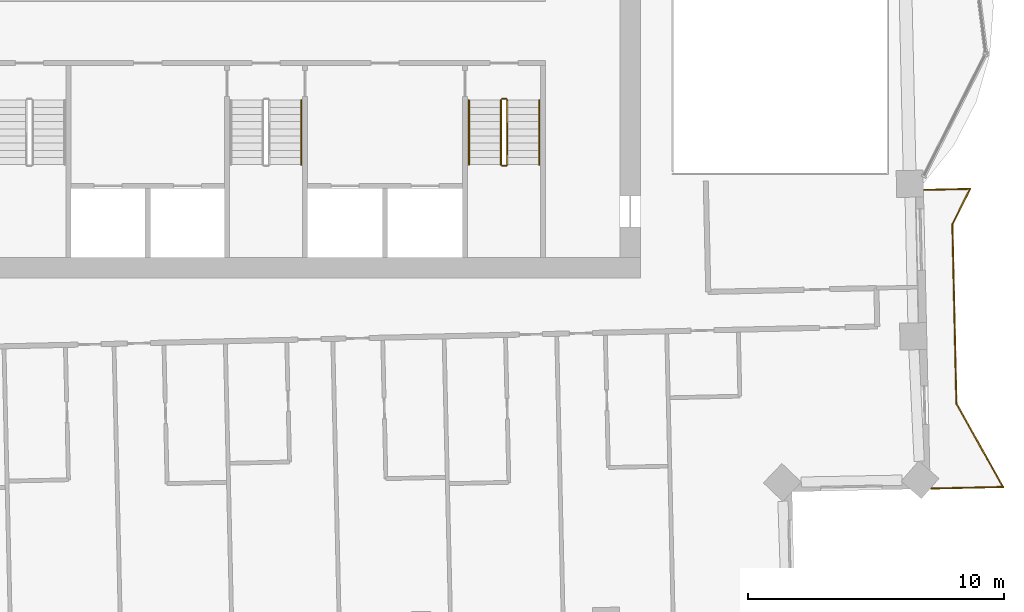
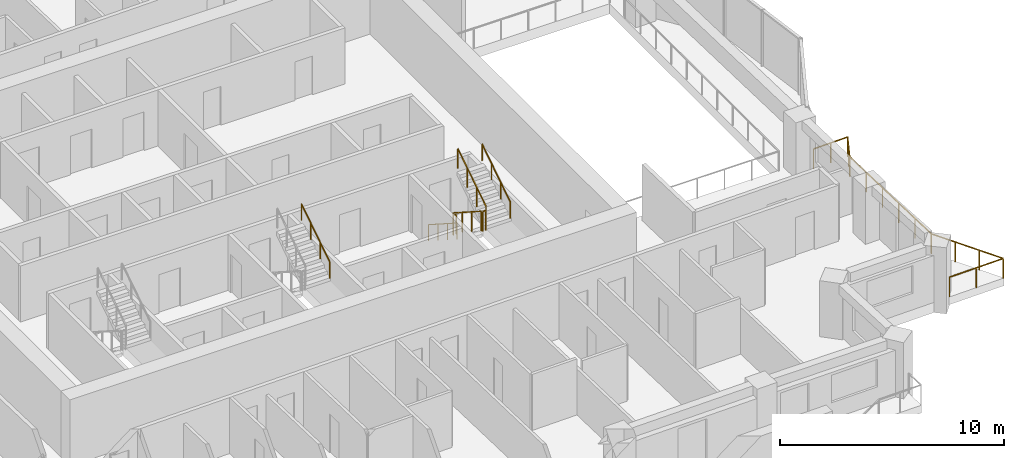
# One storey, part 16 of 17: 8 railings.
"""IFC4 building model written with IfcOpenShell, lengths in metres."""

from ifc_helpers import new_model, si_unit, direction, frame, origin, origin_2d, place, context, subcontext, project, spatial, rectangle, circle, extrude, material, type_object, element, save


model = new_model("IFC4")

# Units and contexts
model_context = context("Model", 3, precision=1e-05, world=origin(), true_north=direction((0.0, 1.0)))
body_context = subcontext(model_context, "Body", "Model", "MODEL_VIEW")
ifc_project = project(units=[si_unit("LENGTHUNIT", "METRE"), si_unit("AREAUNIT", "SQUARE_METRE"), si_unit("VOLUMEUNIT", "CUBIC_METRE"), si_unit("PLANEANGLEUNIT", "RADIAN"), si_unit("MASSUNIT", "GRAM", prefix="KILO")], contexts=[model_context])

# Site, building, storey
site_placement = place(None, origin())
site = spatial("IfcSite", under=ifc_project, at=site_placement, CompositionType="ELEMENT")
building_placement = place(site_placement, origin())
building = spatial("IfcBuilding", under=site, at=building_placement, Name="Mangrove Gate Tower", CompositionType="ELEMENT")
storey_placement = place(building_placement, frame((0.0, 0.0, 249.10009765625)))
storey = spatial("IfcBuildingStorey", under=building, at=storey_placement, Name="L63", CompositionType="ELEMENT", Elevation=249.10009765625)

# Railings
ifc_material_1 = material(Name="Stainless steel grade 316 with laminated glass infill", Category="steel")
railing_type_1 = type_object("IfcRailingType", Name="Balcony guard 1100", PredefinedType="GUARDRAIL", material=ifc_material_1)
railing_1_placement = place(storey_placement, frame((25.964111328125, -19.8291015625, 0.0)))
element("IfcRailing", 1, at=railing_1_placement, inside=storey, type_object=railing_type_1, Name="GUARD L63 E1", PredefinedType="GUARDRAIL", context=body_context, shape_type="SweptSolid", body=[
    extrude(rectangle(XDim=0.048095703125, YDim=0.048095703125, at=origin_2d()), frame((0.0, 0.0, 1.076171875), z_axis=(0.999747602217, 0.022466238252, 0.0), x_axis=(-0.022466238252, 0.999747602217, 0.0)), (0.0, 0.0, 1.0), 2.8037109375),
    extrude(rectangle(XDim=0.048095703125, YDim=0.048095703125, at=origin_2d()), frame((2.802978515625, 0.06298828125, 1.076171875), z_axis=(-0.487274546564, 0.873248828382, 0.0), x_axis=(-0.873248828382, -0.487274546564, 0.0)), (0.0, 0.0, 1.0), 3.733154296875),
    extrude(rectangle(XDim=0.048095703125, YDim=0.048095703125, at=origin_2d()), frame((0.98388671875, 3.322998046875, 1.076171875), z_axis=(-0.022566119286, 0.999745352708, 0.0), x_axis=(-0.999745352708, -0.022566119286, 0.0)), (0.0, 0.0, 1.0), 6.999755859375),
    extrude(rectangle(XDim=0.048095703125, YDim=0.048095703125, at=origin_2d()), frame((0.825927734375, 10.321044921875, 1.076171875), z_axis=(0.4469623872, 0.89455275106, 0.0), x_axis=(-0.89455275106, 0.4469623872, 0.0)), (0.0, 0.0, 1.0), 1.55517578125),
    extrude(rectangle(XDim=0.048095703125, YDim=0.048095703125, at=origin_2d()), frame((1.52099609375, 11.712158203125, 1.076171875), z_axis=(-0.999736446094, -0.022957315875, 0.0), x_axis=(0.022957315875, -0.999736446094, 0.0)), (0.0, 0.0, 1.0), 1.78662109375),
    extrude(rectangle(XDim=0.0419921875, YDim=0.0419921875, at=origin_2d()), origin(), (0.0, 0.0, 1.0), 1.052001953125),
    extrude(rectangle(XDim=0.0419921875, YDim=0.0419921875, at=origin_2d()), frame((1.4013671875, 0.031494140625, 0.0)), (0.0, 0.0, 1.0), 1.052001953125),
    extrude(rectangle(XDim=0.0419921875, YDim=0.0419921875, at=origin_2d()), frame((2.802978515625, 0.06298828125, 0.0)), (0.0, 0.0, 1.0), 1.052001953125),
    extrude(rectangle(XDim=0.0419921875, YDim=0.0419921875, at=origin_2d()), frame((2.196533203125, 1.149658203125, 0.0)), (0.0, 0.0, 1.0), 1.052001953125),
    extrude(rectangle(XDim=0.0419921875, YDim=0.0419921875, at=origin_2d()), frame((1.59033203125, 2.236328125, 0.0)), (0.0, 0.0, 1.0), 1.052001953125),
    extrude(rectangle(XDim=0.0419921875, YDim=0.0419921875, at=origin_2d()), frame((0.98388671875, 3.322998046875, 0.0)), (0.0, 0.0, 1.0), 1.052001953125),
    extrude(rectangle(XDim=0.0419921875, YDim=0.0419921875, at=origin_2d()), frame((0.952392578125, 4.72265625, 0.0)), (0.0, 0.0, 1.0), 1.052001953125),
    extrude(rectangle(XDim=0.0419921875, YDim=0.0419921875, at=origin_2d()), frame((0.920654296875, 6.122314453125, 0.0)), (0.0, 0.0, 1.0), 1.052001953125),
    extrude(rectangle(XDim=0.0419921875, YDim=0.0419921875, at=origin_2d()), frame((0.88916015625, 7.521728515625, 0.0)), (0.0, 0.0, 1.0), 1.052001953125),
    extrude(rectangle(XDim=0.0419921875, YDim=0.0419921875, at=origin_2d()), frame((0.857421875, 8.92138671875, 0.0)), (0.0, 0.0, 1.0), 1.052001953125),
    extrude(rectangle(XDim=0.0419921875, YDim=0.0419921875, at=origin_2d()), frame((0.825927734375, 10.321044921875, 0.0)), (0.0, 0.0, 1.0), 1.052001953125),
    extrude(rectangle(XDim=0.0419921875, YDim=0.0419921875, at=origin_2d()), frame((1.17333984375, 11.0166015625, 0.0)), (0.0, 0.0, 1.0), 1.052001953125),
    extrude(rectangle(XDim=0.0419921875, YDim=0.0419921875, at=origin_2d()), frame((1.52099609375, 11.712158203125, 0.0)), (0.0, 0.0, 1.0), 1.052001953125),
    extrude(rectangle(XDim=0.0419921875, YDim=0.0419921875, at=origin_2d()), frame((0.6279296875, 11.691650390625, 0.0)), (0.0, 0.0, 1.0), 1.052001953125),
    extrude(rectangle(XDim=0.0419921875, YDim=0.0419921875, at=origin_2d()), frame((-0.26513671875, 11.671142578125, 0.0)), (0.0, 0.0, 1.0), 1.052001953125),
])
ifc_material_2 = material(Name="Stainless steel 316", Category="steel")
railing_type_2 = type_object("IfcRailingType", Name="Core stair guard 1100", PredefinedType="GUARDRAIL", material=ifc_material_2)
railing_2_placement = place(storey_placement, frame((9.14990234375, -4.64990234375, 0.179931640625)))
element("IfcRailing", 2, at=railing_2_placement, inside=storey, type_object=railing_type_2, Name="L63 ST3 stair guard 1", PredefinedType="GUARDRAIL", context=body_context, shape_type="SweptSolid", body=[
    extrude(rectangle(XDim=0.048095703125, YDim=0.048095703125, at=origin_2d()), frame((0.0, 0.0, 1.076171875), z_axis=(0.0, -0.841199657755, 0.540724639528), x_axis=(1.0, 0.0, 0.0)), (0.0, 0.0, 1.0), 2.995849609375),
    extrude(rectangle(XDim=0.0419921875, YDim=0.0419921875, at=origin_2d()), origin(), (0.0, 0.0, 1.0), 1.052001953125),
    extrude(rectangle(XDim=0.0419921875, YDim=0.0419921875, at=origin_2d()), frame((0.0, -0.840087890625, 0.5400390625)), (0.0, 0.0, 1.0), 1.052001953125),
    extrude(rectangle(XDim=0.0419921875, YDim=0.0419921875, at=origin_2d()), frame((0.0, -1.679931640625, 1.079833984375)), (0.0, 0.0, 1.0), 1.052001953125),
    extrude(rectangle(XDim=0.0419921875, YDim=0.0419921875, at=origin_2d()), frame((0.0, -2.52001953125, 1.619873046875)), (0.0, 0.0, 1.0), 1.052001953125),
])
railing_3_placement = place(storey_placement, frame((9.199951171875, -7.219970703125, 1.7998046875)))
element("IfcRailing", 3, at=railing_3_placement, inside=storey, type_object=railing_type_2, Name="L63 ST3 stair guard 2", PredefinedType="GUARDRAIL", context=body_context, shape_type="SweptSolid", body=[
    extrude(rectangle(XDim=0.048095703125, YDim=0.048095703125, at=origin_2d()), frame((0.0, 0.0, 1.076171875), z_axis=(1.0, 0.0, 0.0), x_axis=(0.0, 1.0, 0.0)), (0.0, 0.0, 1.0), 0.150146484375),
    extrude(rectangle(XDim=0.0419921875, YDim=0.0419921875, at=origin_2d()), origin(), (0.0, 0.0, 1.0), 1.052001953125),
    extrude(rectangle(XDim=0.0419921875, YDim=0.0419921875, at=origin_2d()), frame((0.150146484375, 0.0, 0.0)), (0.0, 0.0, 1.0), 1.052001953125),
])
railing_4_placement = place(storey_placement, frame((9.39990234375, -7.169921875, 1.97998046875)))
element("IfcRailing", 4, at=railing_4_placement, inside=storey, type_object=railing_type_2, Name="L63 ST3 stair guard 3", PredefinedType="GUARDRAIL", context=body_context, shape_type="SweptSolid", body=[
    extrude(rectangle(XDim=0.048095703125, YDim=0.048095703125, at=origin_2d()), frame((0.0, 0.0, 1.076171875), z_axis=(0.0, 0.841199657755, 0.540724639528), x_axis=(-1.0, 0.0, 0.0)), (0.0, 0.0, 1.0), 2.995849609375),
    extrude(rectangle(XDim=0.0419921875, YDim=0.0419921875, at=origin_2d()), origin(), (0.0, 0.0, 1.0), 1.052001953125),
    extrude(rectangle(XDim=0.0419921875, YDim=0.0419921875, at=origin_2d()), frame((0.0, 0.840087890625, 0.5400390625)), (0.0, 0.0, 1.0), 1.052001953125),
    extrude(rectangle(XDim=0.0419921875, YDim=0.0419921875, at=origin_2d()), frame((0.0, 1.679931640625, 1.079833984375)), (0.0, 0.0, 1.0), 1.052001953125),
    extrude(rectangle(XDim=0.0419921875, YDim=0.0419921875, at=origin_2d()), frame((0.0, 2.52001953125, 1.619873046875)), (0.0, 0.0, 1.0), 1.052001953125),
])
railing_5_placement = place(storey_placement, frame((9.199951171875, -4.60009765625, 0.0)))
element("IfcRailing", 5, at=railing_5_placement, inside=storey, type_object=railing_type_2, Name="L63 ST3 stair guard 4", PredefinedType="GUARDRAIL", context=body_context, shape_type="SweptSolid", body=[
    extrude(rectangle(XDim=0.048095703125, YDim=0.048095703125, at=origin_2d()), frame((0.0, 0.0, 1.076171875), z_axis=(1.0, 0.0, 0.0), x_axis=(0.0, 1.0, 0.0)), (0.0, 0.0, 1.0), 0.150146484375),
    extrude(rectangle(XDim=0.0419921875, YDim=0.0419921875, at=origin_2d()), origin(), (0.0, 0.0, 1.0), 1.052001953125),
    extrude(rectangle(XDim=0.0419921875, YDim=0.0419921875, at=origin_2d()), frame((0.150146484375, 0.0, 0.0)), (0.0, 0.0, 1.0), 1.052001953125),
])
ifc_material_3 = material(Name="Stainless steel 316", Category="steel")
railing_type_3 = type_object("IfcRailingType", Name="Core stair handrail 900", PredefinedType="HANDRAIL", material=ifc_material_3)
railing_6_placement = place(storey_placement, frame((1.35009765625, -7.169921875, 1.97998046875)))
element("IfcRailing", 6, at=railing_6_placement, inside=storey, type_object=railing_type_3, Name="L63 ST2 stair handrail 2", PredefinedType="HANDRAIL", context=body_context, shape_type="SweptSolid", body=[
    extrude(circle(Radius=0.02392578125, at=origin_2d()), frame((0.0, 0.0, 0.8759765625), z_axis=(0.0, 0.841199657755, 0.540724639528), x_axis=(-1.0, 0.0, 0.0)), (0.0, 0.0, 1.0), 2.995849609375),
    extrude(circle(Radius=0.02099609375, at=origin_2d()), origin(), (0.0, 0.0, 1.0), 0.851806640625),
    extrude(circle(Radius=0.02099609375, at=origin_2d()), frame((0.0, 0.840087890625, 0.5400390625)), (0.0, 0.0, 1.0), 0.851806640625),
    extrude(circle(Radius=0.02099609375, at=origin_2d()), frame((0.0, 1.679931640625, 1.079833984375)), (0.0, 0.0, 1.0), 0.851806640625),
    extrude(circle(Radius=0.02099609375, at=origin_2d()), frame((0.0, 2.52001953125, 1.619873046875)), (0.0, 0.0, 1.0), 0.851806640625),
])
railing_7_placement = place(storey_placement, frame((7.89990234375, -4.64990234375, 0.179931640625)))
element("IfcRailing", 7, at=railing_7_placement, inside=storey, type_object=railing_type_3, Name="L63 ST3 stair handrail 1", PredefinedType="HANDRAIL", context=body_context, shape_type="SweptSolid", body=[
    extrude(circle(Radius=0.02392578125, at=origin_2d()), frame((0.0, 0.0, 0.8759765625), z_axis=(0.0, -0.841199657755, 0.540724639528), x_axis=(1.0, 0.0, 0.0)), (0.0, 0.0, 1.0), 2.995849609375),
    extrude(circle(Radius=0.02099609375, at=origin_2d()), origin(), (0.0, 0.0, 1.0), 0.851806640625),
    extrude(circle(Radius=0.02099609375, at=origin_2d()), frame((0.0, -0.840087890625, 0.5400390625)), (0.0, 0.0, 1.0), 0.851806640625),
    extrude(circle(Radius=0.02099609375, at=origin_2d()), frame((0.0, -1.679931640625, 1.079833984375)), (0.0, 0.0, 1.0), 0.851806640625),
    extrude(circle(Radius=0.02099609375, at=origin_2d()), frame((0.0, -2.52001953125, 1.619873046875)), (0.0, 0.0, 1.0), 0.851806640625),
])
railing_8_placement = place(storey_placement, frame((10.64990234375, -7.169921875, 1.97998046875)))
element("IfcRailing", 8, at=railing_8_placement, inside=storey, type_object=railing_type_3, Name="L63 ST3 stair handrail 2", PredefinedType="HANDRAIL", context=body_context, shape_type="SweptSolid", body=[
    extrude(circle(Radius=0.02392578125, at=origin_2d()), frame((0.0, 0.0, 0.8759765625), z_axis=(0.0, 0.841199657755, 0.540724639528), x_axis=(-1.0, 0.0, 0.0)), (0.0, 0.0, 1.0), 2.995849609375),
    extrude(circle(Radius=0.02099609375, at=origin_2d()), origin(), (0.0, 0.0, 1.0), 0.851806640625),
    extrude(circle(Radius=0.02099609375, at=origin_2d()), frame((0.0, 0.840087890625, 0.5400390625)), (0.0, 0.0, 1.0), 0.851806640625),
    extrude(circle(Radius=0.02099609375, at=origin_2d()), frame((0.0, 1.679931640625, 1.079833984375)), (0.0, 0.0, 1.0), 0.851806640625),
    extrude(circle(Radius=0.02099609375, at=origin_2d()), frame((0.0, 2.52001953125, 1.619873046875)), (0.0, 0.0, 1.0), 0.851806640625),
])

save(model, "model.ifc")
